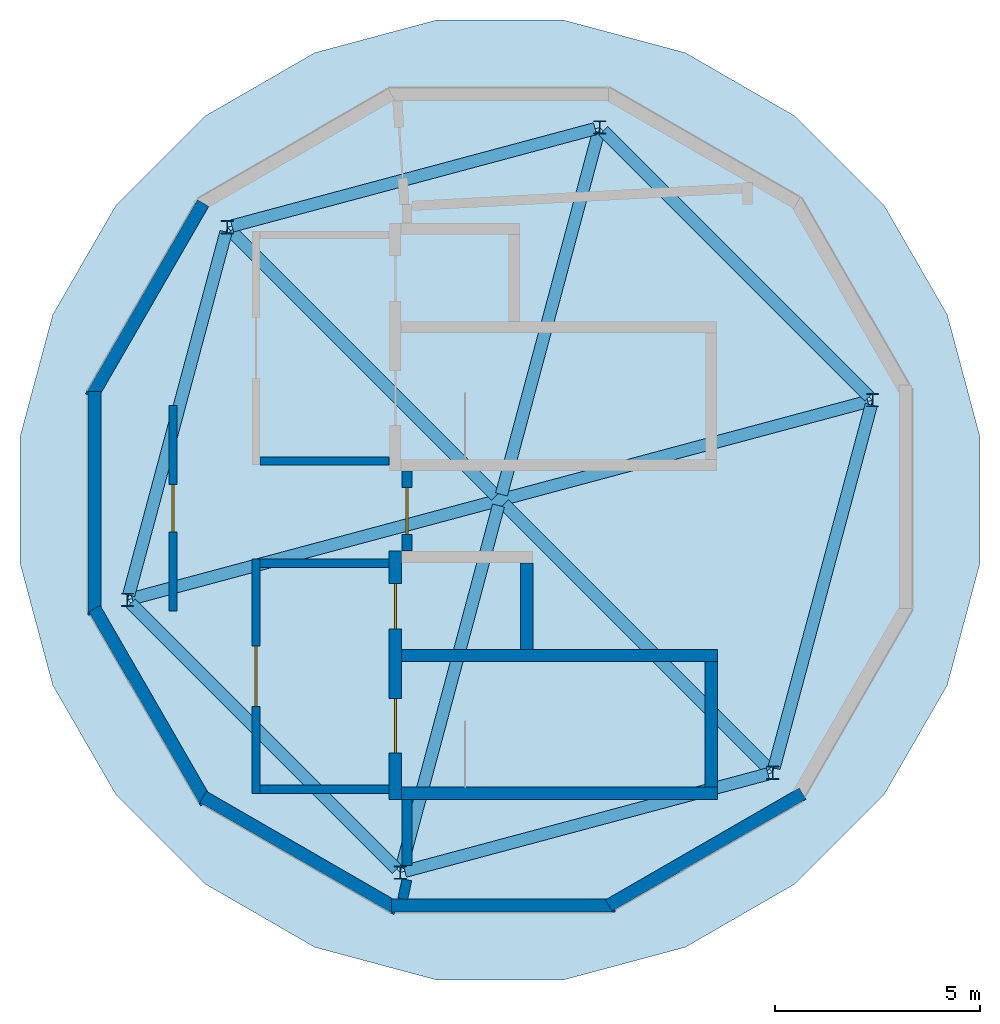
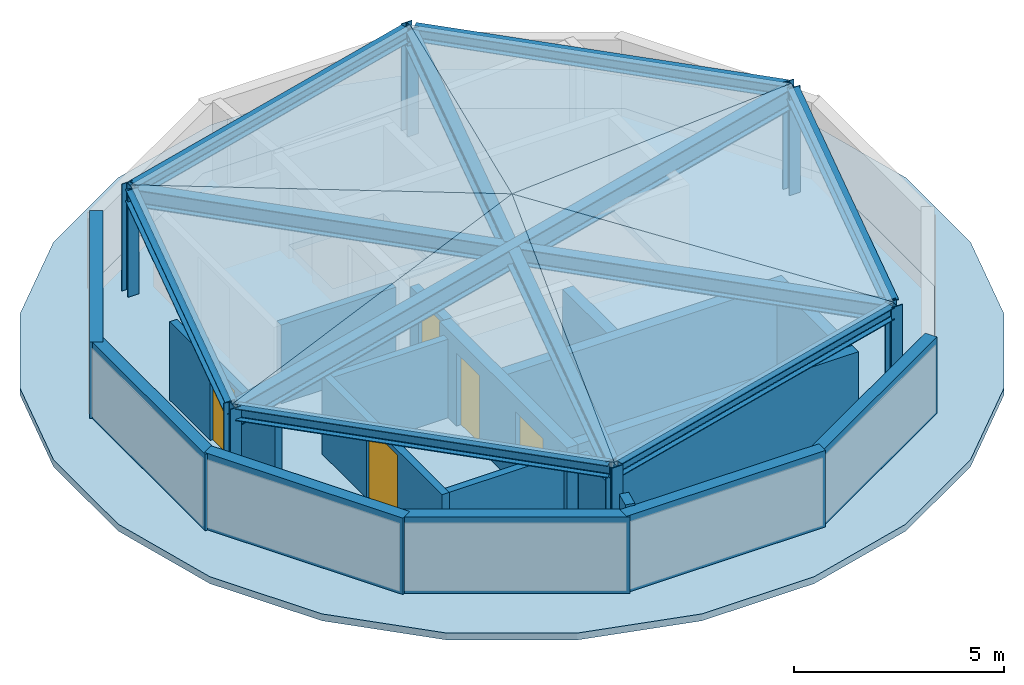
# One storey, part 1 of 3: 19 walls, 11 beams, 8 slabs, 6 columns, 5 doors, 5 openings.
"""IFC4 building model written with IfcOpenShell, lengths in metres."""

from ifc_helpers import new_model, si_unit, direction, frame, frame_2d, origin, origin_2d, place, context, subcontext, project, spatial, polyline, rectangle, i_section, outline, extrude, material, layer, layer_set, material_profile, profile_set, type_object, element, fill, save


model = new_model("IFC4")

# Units and contexts
model_context = context("Model", 3, precision=1e-05, world=origin(), true_north=direction((0.0, 1.0)))
body_context = subcontext(model_context, "Body", "Model", "MODEL_VIEW")
ifc_project = project(units=[si_unit("LENGTHUNIT", "METRE"), si_unit("AREAUNIT", "SQUARE_METRE"), si_unit("VOLUMEUNIT", "CUBIC_METRE"), si_unit("PLANEANGLEUNIT", "RADIAN"), si_unit("MASSUNIT", "GRAM", prefix="KILO")], contexts=[model_context])

# Site, building, storey
site_placement = place(None, origin())
site = spatial("IfcSite", under=ifc_project, at=site_placement, CompositionType="ELEMENT")
building_placement = place(site_placement, origin())
building = spatial("IfcBuilding", under=site, at=building_placement, Name="Varnklinge Art Gallery", CompositionType="ELEMENT")
storey_placement = place(building_placement, frame((0.0, 0.0, 25.800048828125)))
storey = spatial("IfcBuildingStorey", under=building, at=storey_placement, Name="Roof", CompositionType="ELEMENT", Elevation=25.800048828125)

# Columns
ifc_material_1 = material(Name="Steel S355", Category="steel")
ifc_material_profile_1 = material_profile(ifc_material_1, i_section(OverallWidth=0.300048828125, OverallDepth=0.320068359375, WebThickness=0.011474609375, FlangeThickness=0.0205078125, FilletRadius=0.027099609375, at=origin_2d()), Name="HEB 320")
ifc_profile_set_1 = profile_set([ifc_material_profile_1], Name="Steel S355")
column_type = type_object("IfcColumnType", Name="COL-09", PredefinedType="COLUMN", material=ifc_profile_set_1)
for number, where, z_axis, x_axis, name in (
    (1, (84.57958984375, 40.932861328125, 0.0), (0.0, 0.0, 1.0), (1.0, 0.0, 0.0), "Roof Column V4CI-1"),
    (2, (77.932861328125, 47.57958984375, 0.0), (0.0, 0.0, 1.0), (1.0, 0.0, 0.0), "Roof Column V4CI-2"),
    (3, (68.853271484375, 45.146728515625, 0.0), (0.0, 0.0, 1.0), (1.0, 0.0, 0.0), "Roof Column V4CI-3"),
    (4, (66.42041015625, 36.067138671875, 0.0), (0.0, 0.0, 1.0), (1.0, 0.0, 0.0), "Roof Column V4CI-4"),
    (5, (73.067138671875, 29.42041015625, 0.0), (0.0, 0.0, 1.0), (1.0, 0.0, 0.0), "Roof Column V4CI-5"),
    (6, (82.146728515625, 31.853271484375, 0.0), (0.0, 0.0, 1.0), (1.0, 0.0, 0.0), "Roof Column V4CI-6"),
):
    element("IfcColumn", number, at=place(storey_placement, frame(where, z_axis=z_axis, x_axis=x_axis)), inside=storey, type_object=column_type, Name=name, PredefinedType="COLUMN", context=body_context, shape_type="SweptSolid", body=[
        extrude(i_section(OverallWidth=0.300048828125, OverallDepth=0.320068359375, WebThickness=0.011474609375, FlangeThickness=0.0205078125, FilletRadius=0.027099609375, at=origin_2d()), origin(), (0.0, 0.0, 1.0), 3.099853515625),
    ])

# Beams
ifc_material_2 = material(Name="Steel S355", Category="steel")
ifc_material_profile_2 = material_profile(ifc_material_2, i_section(OverallWidth=0.300048828125, OverallDepth=0.60009765625, WebThickness=0.015380859375, FlangeThickness=0.030029296875, FilletRadius=0.027099609375, at=origin_2d()), Name="HEB 600")
ifc_profile_set_2 = profile_set([ifc_material_profile_2], Name="Steel S355")
beam_type_1 = type_object("IfcBeamType", Name="BM-05", PredefinedType="BEAM", material=ifc_profile_set_2)
beam_1_placement = place(storey_placement, frame((84.4638671875, 40.90185546875, 2.800048828125), z_axis=(-0.965925974596, -0.258818491613, 0.0), x_axis=(0.258818491613, -0.965925974596, 0.0)))
element("IfcBeam", 7, at=beam_1_placement, inside=storey, type_object=beam_type_1, Name="Roof BM-05 BM-V4D-CRN-D1", PredefinedType="BEAM", context=body_context, shape_type="SweptSolid", body=[
    extrude(i_section(OverallWidth=0.300048828125, OverallDepth=0.60009765625, WebThickness=0.015380859375, FlangeThickness=0.030029296875, FilletRadius=0.027099609375, at=origin_2d()), origin(), (0.0, 0.0, 1.0), 18.56005859375),
])
ifc_material_3 = material(Name="Steel S355", Category="steel")
ifc_material_profile_3 = material_profile(ifc_material_3, i_section(OverallWidth=0.300048828125, OverallDepth=0.489990234375, WebThickness=0.011962890625, FlangeThickness=0.02294921875, FilletRadius=0.027099609375, at=origin_2d()), Name="HEA 500")
ifc_profile_set_3 = profile_set([ifc_material_profile_3], Name="Steel S355")
beam_type_2 = type_object("IfcBeamType", Name="BM-07", PredefinedType="BEAM", material=ifc_profile_set_3)
beam_2_placement = place(storey_placement, frame((77.90185546875, 47.4638671875, 2.85498046875), z_axis=(-0.258829544681, -0.965923012874, 0.0), x_axis=(0.965923012874, -0.258829544681, 0.0)))
element("IfcBeam", 8, at=beam_2_placement, inside=storey, type_object=beam_type_2, Name="Roof BM-07 BM-V4D-CRN-R2", PredefinedType="BEAM", context=body_context, shape_type="SweptSolid", body=[
    extrude(i_section(OverallWidth=0.300048828125, OverallDepth=0.489990234375, WebThickness=0.011962890625, FlangeThickness=0.02294921875, FilletRadius=0.027099609375, at=origin_2d()), origin(), (0.0, 0.0, 1.0), 9.14013671875),
])
beam_3_placement = place(storey_placement, frame((68.93798828125, 45.06201171875, 2.85498046875), z_axis=(0.707106781187, -0.707106781187, 0.0), x_axis=(0.707106781187, 0.707106781187, 0.0)))
element("IfcBeam", 9, at=beam_3_placement, inside=storey, type_object=beam_type_2, Name="Roof BM-07 BM-V4D-CRN-R3", PredefinedType="BEAM", context=body_context, shape_type="SweptSolid", body=[
    extrude(i_section(OverallWidth=0.300048828125, OverallDepth=0.489990234375, WebThickness=0.011962890625, FlangeThickness=0.02294921875, FilletRadius=0.027099609375, at=origin_2d()), origin(), (0.0, 0.0, 1.0), 9.139892578125),
])
beam_4_placement = place(storey_placement, frame((73.09814453125, 29.5361328125, 2.85498046875), z_axis=(0.258829544681, 0.965923012874, 0.0), x_axis=(-0.965923012874, 0.258829544681, 0.0)))
element("IfcBeam", 10, at=beam_4_placement, inside=storey, type_object=beam_type_2, Name="Roof BM-07 BM-V4D-CRN-R5", PredefinedType="BEAM", context=body_context, shape_type="SweptSolid", body=[
    extrude(i_section(OverallWidth=0.300048828125, OverallDepth=0.489990234375, WebThickness=0.011962890625, FlangeThickness=0.02294921875, FilletRadius=0.027099609375, at=origin_2d()), origin(), (0.0, 0.0, 1.0), 9.14013671875),
])
beam_5_placement = place(storey_placement, frame((82.06201171875, 31.93798828125, 2.85498046875), z_axis=(-0.707106781187, 0.707106781187, 0.0), x_axis=(-0.707106781187, -0.707106781187, 0.0)))
element("IfcBeam", 11, at=beam_5_placement, inside=storey, type_object=beam_type_2, Name="Roof BM-07 BM-V4D-CRN-R6", PredefinedType="BEAM", context=body_context, shape_type="SweptSolid", body=[
    extrude(i_section(OverallWidth=0.300048828125, OverallDepth=0.489990234375, WebThickness=0.011962890625, FlangeThickness=0.02294921875, FilletRadius=0.027099609375, at=origin_2d()), origin(), (0.0, 0.0, 1.0), 9.139892578125),
])
ifc_material_4 = material(Name="Steel S355", Category="steel")
ifc_material_profile_4 = material_profile(ifc_material_4, i_section(OverallWidth=0.300048828125, OverallDepth=0.35009765625, WebThickness=0.010009765625, FlangeThickness=0.017578125, FilletRadius=0.027099609375, at=origin_2d()), Name="HEA 360")
ifc_profile_set_4 = profile_set([ifc_material_profile_4], Name="Steel S355")
beam_type_3 = type_object("IfcBeamType", Name="SPB-04", PredefinedType="SPANDREL", material=ifc_profile_set_4)
for number, where, z_axis, x_axis, name in (
    (12, (84.494873046875, 41.017822265625, 2.925048828125), (-0.707106781187, 0.707106781187, 0.0), (-0.707106781187, -0.707106781187, 0.0), "Roof SPB-04 BM-V4D-CRN-E1"),
    (13, (77.81689453125, 47.548583984375, 2.925048828125), (-0.965930801442, -0.258800476863, 0.0), (0.258800476863, -0.965930801442, 0.0), "Roof SPB-04 BM-V4D-CRN-E2"),
    (14, (68.822021484375, 45.031005859375, 2.925048828125), (-0.258800476863, -0.965930801442, 0.0), (0.965930801442, -0.258800476863, 0.0), "Roof SPB-04 BM-V4D-CRN-E3"),
    (15, (66.505126953125, 35.982177734375, 2.925048828125), (0.707106781187, -0.707106781187, 0.0), (0.707106781187, 0.707106781187, 0.0), "Roof SPB-04 BM-V4D-CRN-E4"),
    (16, (73.18310546875, 29.451416015625, 2.925048828125), (0.965930801442, 0.258800476863, 0.0), (-0.258800476863, 0.965930801442, 0.0), "Roof SPB-04 BM-V4D-CRN-E5"),
    (17, (82.177978515625, 31.968994140625, 2.925048828125), (0.258800476863, 0.965930801442, 0.0), (-0.965930801442, 0.258800476863, 0.0), "Roof SPB-04 BM-V4D-CRN-E6"),
):
    element("IfcBeam", number, at=place(storey_placement, frame(where, z_axis=z_axis, x_axis=x_axis)), inside=storey, type_object=beam_type_3, Name=name, PredefinedType="SPANDREL", context=body_context, shape_type="SweptSolid", body=[
        extrude(i_section(OverallWidth=0.300048828125, OverallDepth=0.35009765625, WebThickness=0.010009765625, FlangeThickness=0.017578125, FilletRadius=0.027099609375, at=origin_2d()), origin(), (0.0, 0.0, 1.0), 9.159912109375),
    ])

# Slabs
ifc_material_5 = material(Name="Concrete C35/45", Category="concrete")
ifc_layer_1 = layer(ifc_material_5, 0.199951171875)
ifc_layer_set_1 = layer_set([ifc_layer_1], Name="Concrete C35/45")
slab_type_1 = type_object("IfcSlabType", Name="SLB-F20", PredefinedType="FLOOR", material=ifc_layer_set_1)
slab_1_placement = place(storey_placement, frame((0.0, 0.0, -0.199951171875)))
element("IfcSlab", 18, at=slab_1_placement, inside=storey, type_object=slab_type_1, Name="Roof Pavilion Drum Floor Slab", PredefinedType="FLOOR", context=body_context, shape_type="SweptSolid", body=[
    extrude(outline(polyline([(78.191650390625, 28.454345703125), (82.85400390625, 31.14599609375), (85.545654296875, 35.808349609375), (85.545654296875, 41.191650390625), (82.85400390625, 45.85400390625), (78.191650390625, 48.545654296875), (72.808349609375, 48.545654296875), (68.14599609375, 45.85400390625), (65.454345703125, 41.191650390625), (65.454345703125, 35.808349609375), (68.14599609375, 31.14599609375), (72.808349609375, 28.454345703125), (78.191650390625, 28.454345703125)]), holes=[polyline([(74.72509765625, 31.5), (74.72509765625, 34.56005859375), (80.5, 34.56005859375), (80.5, 31.5), (74.72509765625, 31.5)]), polyline([(73.10009765625, 36.9599609375), (76.0, 36.9599609375), (76.0, 34.860107421875), (73.10009765625, 34.860107421875), (73.10009765625, 36.9599609375)]), polyline([(80.5, 42.56005859375), (80.5, 39.5), (74.72509765625, 39.5), (74.72509765625, 42.56005859375), (80.5, 42.56005859375)]), polyline([(75.699951171875, 42.860107421875), (73.10009765625, 42.860107421875), (73.10009765625, 44.9599609375), (75.699951171875, 44.9599609375), (75.699951171875, 42.860107421875)])]), origin(), (0.0, 0.0, 1.0), 0.199951171875),
])
ifc_material_6 = material(Name="Concrete C40/50", Category="concrete")
ifc_layer_2 = layer(ifc_material_6, 0.179931640625)
ifc_layer_set_2 = layer_set([ifc_layer_2], Name="Concrete C40/50")
slab_type_2 = type_object("IfcSlabType", Name="SLB-FOLD18", PredefinedType="ROOF", material=ifc_layer_set_2)
slab_2_placement = place(storey_placement, frame((84.57958984375, 40.932861328125, 3.119873046875), z_axis=(0.123185144164, 0.123185144164, 0.984708505353), x_axis=(-0.707106781187, 0.707106781187, 0.0)))
element("IfcSlab", 19, at=slab_2_placement, inside=storey, type_object=slab_type_2, Name="Roof Pavilion Drum Zinc Crown Facet 1", PredefinedType="ROOF", context=body_context, shape_type="SweptSolid", body=[
    extrude(outline(polyline([(0.0, 0.0), (9.399893612208865, 0.0), (4.699946806104434, 8.266946256135373), (0.0, 0.0)])), origin(), (0.0, 0.0, -1.0), 0.179931640625),
])
slab_3_placement = place(storey_placement, frame((77.932861328125, 47.57958984375, 3.119873046875), z_axis=(-0.045088705635, 0.168273854749, 0.984708544917), x_axis=(-0.965926024113, -0.258818306811, 0.0)))
element("IfcSlab", 20, at=slab_3_placement, inside=storey, type_object=slab_type_2, Name="Roof Pavilion Drum Zinc Crown Facet 2", PredefinedType="ROOF", context=body_context, shape_type="SweptSolid", body=[
    extrude(outline(polyline([(0.0, 0.0), (9.39988116800496, 0.0), (4.699928139790337, 8.266956868331226), (0.0, 0.0)])), origin(), (0.0, 0.0, -1.0), 0.179931640625),
])
slab_4_placement = place(storey_placement, frame((68.853271484375, 45.146728515625, 3.119873046875), z_axis=(-0.168273854749, 0.045088705635, 0.984708544917), x_axis=(-0.258818306811, -0.965926024113, 0.0)))
element("IfcSlab", 21, at=slab_4_placement, inside=storey, type_object=slab_type_2, Name="Roof Pavilion Drum Zinc Crown Facet 3", PredefinedType="ROOF", context=body_context, shape_type="SweptSolid", body=[
    extrude(outline(polyline([(0.0, 0.0), (9.39988116800496, 0.0), (4.6999530282146225, 8.266956868331228), (0.0, 0.0)])), origin(), (0.0, 0.0, -1.0), 0.179931640625),
])
slab_5_placement = place(storey_placement, frame((66.42041015625, 36.067138671875, 3.119873046875), z_axis=(-0.123185144164, -0.123185144164, 0.984708505353), x_axis=(0.707106781187, -0.707106781187, 0.0)))
element("IfcSlab", 22, at=slab_5_placement, inside=storey, type_object=slab_type_2, Name="Roof Pavilion Drum Zinc Crown Facet 4", PredefinedType="ROOF", context=body_context, shape_type="SweptSolid", body=[
    extrude(outline(polyline([(0.0, 0.0), (9.399893612208865, 0.0), (4.699946806104434, 8.266946256135373), (0.0, 0.0)])), origin(), (0.0, 0.0, -1.0), 0.179931640625),
])
slab_6_placement = place(storey_placement, frame((73.067138671875, 29.42041015625, 3.119873046875), z_axis=(0.045088705635, -0.168273854749, 0.984708544917), x_axis=(0.965926024113, 0.258818306811, 0.0)))
element("IfcSlab", 23, at=slab_6_placement, inside=storey, type_object=slab_type_2, Name="Roof Pavilion Drum Zinc Crown Facet 5", PredefinedType="ROOF", context=body_context, shape_type="SweptSolid", body=[
    extrude(outline(polyline([(0.0, 0.0), (9.39988116800496, 0.0), (4.699928139790337, 8.266956868331226), (0.0, 0.0)])), origin(), (0.0, 0.0, -1.0), 0.179931640625),
])
slab_7_placement = place(storey_placement, frame((82.146728515625, 31.853271484375, 3.119873046875), z_axis=(0.168273854749, -0.045088705635, 0.984708544917), x_axis=(0.258818306811, 0.965926024113, 0.0)))
element("IfcSlab", 24, at=slab_7_placement, inside=storey, type_object=slab_type_2, Name="Roof Pavilion Drum Zinc Crown Facet 6", PredefinedType="ROOF", context=body_context, shape_type="SweptSolid", body=[
    extrude(outline(polyline([(0.0, 0.0), (9.39988116800496, 0.0), (4.6999530282146225, 8.266956868331228), (0.0, 0.0)])), origin(), (0.0, 0.0, -1.0), 0.179931640625),
])
ifc_material_7 = material(Name="Concrete C35/45", Category="concrete")
ifc_layer_3 = layer(ifc_material_7, 0.199951171875)
ifc_layer_set_3 = layer_set([ifc_layer_3], Name="Concrete C35/45")
slab_type_3 = type_object("IfcSlabType", Name="SLB-ROOF20", PredefinedType="ROOF", material=ifc_layer_set_3)
slab_8_placement = place(storey_placement, frame((0.0, 0.0, -0.199951171875)))
element("IfcSlab", 25, at=slab_8_placement, inside=storey, type_object=slab_type_3, Name="Roof Drum Perimeter Cap Slab", PredefinedType="ROOF", context=body_context, shape_type="SweptSolid", body=[
    extrude(outline(polyline([(87.198974609375, 36.959716796875), (87.198974609375, 40.040283203125), (86.40185546875, 43.015625), (84.861572265625, 45.683349609375), (82.683349609375, 47.861572265625), (80.015625, 49.40185546875), (77.040283203125, 50.198974609375), (73.959716796875, 50.198974609375), (70.984375, 49.40185546875), (68.316650390625, 47.861572265625), (66.138427734375, 45.683349609375), (64.59814453125, 43.015625), (63.801025390625, 40.040283203125), (63.801025390625, 36.959716796875), (64.59814453125, 33.984375), (66.138427734375, 31.316650390625), (68.316650390625, 29.138427734375), (70.984375, 27.59814453125), (73.959716796875, 26.801025390625), (77.040283203125, 26.801025390625), (80.015625, 27.59814453125), (82.683349609375, 29.138427734375), (84.861572265625, 31.316650390625), (86.40185546875, 33.984375), (87.198974609375, 36.959716796875)]), holes=[polyline([(78.191650390625, 28.454345703125), (72.808349609375, 28.454345703125), (68.14599609375, 31.14599609375), (65.454345703125, 35.808349609375), (65.454345703125, 41.191650390625), (68.14599609375, 45.85400390625), (72.808349609375, 48.545654296875), (78.191650390625, 48.545654296875), (82.85400390625, 45.85400390625), (85.545654296875, 41.191650390625), (85.545654296875, 35.808349609375), (82.85400390625, 31.14599609375), (78.191650390625, 28.454345703125)])]), origin(), (0.0, 0.0, 1.0), 0.199951171875),
])

# Walls
ifc_material_8 = material(Name="Precast concrete C40/50", Category="concrete")
ifc_layer_4 = layer(ifc_material_8, 0.320068359375)
ifc_layer_set_4 = layer_set([ifc_layer_4], Name="Precast concrete C40/50")
wall_type_1 = type_object("IfcWallType", Name="EW-32", PredefinedType="SOLIDWALL", material=ifc_layer_set_4)
wall_1_placement = place(storey_placement, frame((82.87548828125, 31.34326171875, 0.0), z_axis=(0.0, 0.0, 1.0), x_axis=(-0.866046294017, -0.49996381531, 0.0)))
element("IfcWall", 26, at=wall_1_placement, inside=storey, type_object=wall_type_1, Name="Roof Exterior Wall EW-V4D-Roof-03", PredefinedType="SOLIDWALL", context=body_context, shape_type="SweptSolid", body=[
    extrude(rectangle(XDim=5.4580078125, YDim=0.320068359375, at=frame_2d((2.72900390625, 0.0))), origin(), (0.0, 0.0, 1.0), 2.219970703125),
])
wall_2_placement = place(storey_placement, frame((78.308837890625, 28.614501953125, 0.0), z_axis=(0.0, 0.0, 1.0), x_axis=(-1.0, 0.0, 0.0)))
element("IfcWall", 27, at=wall_2_placement, inside=storey, type_object=wall_type_1, Name="Roof Exterior Wall EW-V4D-Roof-04", PredefinedType="SOLIDWALL", context=body_context, shape_type="SweptSolid", body=[
    extrude(rectangle(XDim=5.45751953125, YDim=0.320068359375, at=frame_2d((2.728759765625, 0.0))), origin(), (0.0, 0.0, 1.0), 2.219970703125),
])
wall_3_placement = place(storey_placement, frame((72.98974609375, 28.534423828125, 0.0), z_axis=(0.0, 0.0, 1.0), x_axis=(-0.866035112114, 0.499983184303, 0.0)))
element("IfcWall", 28, at=wall_3_placement, inside=storey, type_object=wall_type_1, Name="Roof Exterior Wall EW-V4D-Roof-05", PredefinedType="SOLIDWALL", context=body_context, shape_type="SweptSolid", body=[
    extrude(rectangle(XDim=5.457763671875, YDim=0.320068359375, at=frame_2d((2.72900390625, 0.0))), origin(), (0.0, 0.0, 1.0), 2.219970703125),
])
wall_4_placement = place(storey_placement, frame((68.34326171875, 31.12451171875, 0.0), z_axis=(0.0, 0.0, 1.0), x_axis=(-0.49996381531, 0.866046294017, 0.0)))
element("IfcWall", 29, at=wall_4_placement, inside=storey, type_object=wall_type_1, Name="Roof Exterior Wall EW-V4D-Roof-06", PredefinedType="SOLIDWALL", context=body_context, shape_type="SweptSolid", body=[
    extrude(rectangle(XDim=5.4580078125, YDim=0.320068359375, at=frame_2d((2.72900390625, 0.0))), origin(), (0.0, 0.0, 1.0), 2.219970703125),
])
wall_5_placement = place(storey_placement, frame((65.614501953125, 35.691162109375, 0.0), z_axis=(0.0, 0.0, 1.0), x_axis=(0.0, 1.0, 0.0)))
element("IfcWall", 30, at=wall_5_placement, inside=storey, type_object=wall_type_1, Name="Roof Exterior Wall EW-V4D-Roof-07", PredefinedType="SOLIDWALL", context=body_context, shape_type="SweptSolid", body=[
    extrude(rectangle(XDim=5.45751953125, YDim=0.320068359375, at=frame_2d((2.728759765625, 0.0))), origin(), (0.0, 0.0, 1.0), 2.219970703125),
])
wall_6_placement = place(storey_placement, frame((65.534423828125, 41.01025390625, 0.0), z_axis=(0.0, 0.0, 1.0), x_axis=(0.499983184303, 0.866035112114, 0.0)))
element("IfcWall", 31, at=wall_6_placement, inside=storey, type_object=wall_type_1, Name="Roof Exterior Wall EW-V4D-Roof-08", PredefinedType="SOLIDWALL", context=body_context, shape_type="SweptSolid", body=[
    extrude(rectangle(XDim=5.457763671875, YDim=0.320068359375, at=frame_2d((2.72900390625, 0.0))), origin(), (0.0, 0.0, 1.0), 2.219970703125),
])
ifc_material_9 = material(Name="Concrete C40/50", Category="concrete")
ifc_layer_5 = layer(ifc_material_9, 0.199951171875)
ifc_layer_set_5 = layer_set([ifc_layer_5], Name="Concrete C40/50")
wall_type_2 = type_object("IfcWallType", Name="IW-20", PredefinedType="PARTITIONING", material=ifc_layer_set_5)
for number, where, z_axis, x_axis, name in (
    (32, (69.64990234375, 31.449951171875, 0.0), (0.0, 0.0, 1.0), (1.0, 0.0, 0.0), "Roof Core C1 Lobby South Wall"),
    (33, (72.800048828125, 36.9599609375, 0.0), (0.0, 0.0, 1.0), (-1.0, 0.0, 0.0), "Roof Core C1 Lobby North Wall"),
):
    element("IfcWall", number, at=place(storey_placement, frame(where, z_axis=z_axis, x_axis=x_axis)), inside=storey, type_object=wall_type_2, Name=name, PredefinedType="PARTITIONING", context=body_context, shape_type="SweptSolid", body=[
        extrude(rectangle(XDim=3.150146484375, YDim=0.199951171875, at=frame_2d((1.5751953125, 0.0))), origin(), (0.0, 0.0, 1.0), 2.280029296875),
    ])

# Wall, opening, door
wall_7_placement = place(storey_placement, frame((69.550048828125, 31.35009765625, 0.0), z_axis=(0.0, 0.0, 1.0), x_axis=(0.0, 1.0, 0.0)))
wall_7 = element("IfcWall", 34, at=wall_7_placement, inside=storey, type_object=wall_type_2, Name="Roof Core C1 Lobby Corridor Wall", PredefinedType="PARTITIONING", context=body_context, shape_type="SweptSolid", body=[
    extrude(rectangle(XDim=5.7099609375, YDim=0.199951171875, at=frame_2d((2.85498046875, 0.0))), origin(), (0.0, 0.0, 1.0), 2.280029296875),
])
opening_1_placement = place(wall_7_placement, frame((2.114990234375, 0.0, 0.0)))
opening_1 = element("IfcOpeningElement", 35, at=opening_1_placement, cuts=wall_7, Name="Opening D-Roof-024", PredefinedType="OPENING", context=body_context, shape_type="SweptSolid", body=[
    extrude(rectangle(XDim=1.47998046875, YDim=2.14990234375, at=frame_2d((0.739990234375, 1.074951171875))), frame((0.0, 0.110107421875, 0.0), z_axis=(0.0, -1.0, 0.0), x_axis=(1.0, 0.0, 0.0)), (0.0, 0.0, 1.0), 0.219970703125),
])
ifc_material_10 = material(Name="Galvanised Fire-Rated Steel", Category="steel")
door_type_1 = type_object("IfcDoorType", Name="ID-LB1", OperationType="DOUBLE_DOOR_SINGLE_SWING", PredefinedType="DOOR", material=ifc_material_10)
door_1_placement = place(opening_1_placement, origin())
door_1 = element("IfcDoor", 36, at=door_1_placement, inside=storey, type_object=door_type_1, Name="Roof Core C1 Protected Lobby Door D-Roof-024", OperationType="DOUBLE_DOOR_SINGLE_SWING", OverallHeight=2.14990234375, OverallWidth=1.47998046875, PredefinedType="DOOR", context=body_context, shape_type="SweptSolid", body=[
    extrude(rectangle(XDim=1.47998046875, YDim=2.14990234375, at=frame_2d((0.739990234375, 1.074951171875))), frame((0.0, 0.02490234375, 0.0), z_axis=(0.0, -1.0, 0.0), x_axis=(1.0, 0.0, 0.0)), (0.0, 0.0, 1.0), 0.050048828125),
])
fill(opening_1, door_1)

# Wall
wall_8_placement = place(storey_placement, frame((69.64990234375, 39.449951171875, 0.0), z_axis=(0.0, 0.0, 1.0), x_axis=(1.0, 0.0, 0.0)))
element("IfcWall", 37, at=wall_8_placement, inside=storey, type_object=wall_type_2, Name="Roof Core C2 Lobby South Wall", PredefinedType="PARTITIONING", context=body_context, shape_type="SweptSolid", body=[
    extrude(rectangle(XDim=3.150146484375, YDim=0.199951171875, at=frame_2d((1.5751953125, 0.0))), origin(), (0.0, 0.0, 1.0), 2.280029296875),
])

# Wall, opening, door
wall_9_placement = place(storey_placement, frame((67.530029296875, 40.800048828125, 0.0), z_axis=(0.0, 0.0, 1.0), x_axis=(0.0, -1.0, 0.0)))
wall_9 = element("IfcWall", 38, at=wall_9_placement, inside=storey, type_object=wall_type_2, Name="Roof Partition Wall IW-Roof-0393", PredefinedType="PARTITIONING", context=body_context, shape_type="SweptSolid", body=[
    extrude(rectangle(XDim=5.0, YDim=0.199951171875, at=frame_2d((2.5, 0.0))), origin(), (0.0, 0.0, 1.0), 2.280029296875),
])
opening_2_placement = place(wall_9_placement, frame((1.925048828125, 0.0, 0.0)))
opening_2 = element("IfcOpeningElement", 39, at=opening_2_placement, cuts=wall_9, Name="Opening D-Roof-276", PredefinedType="OPENING", context=body_context, shape_type="SweptSolid", body=[
    extrude(rectangle(XDim=1.14990234375, YDim=2.14990234375, at=frame_2d((0.574951171875, 1.074951171875))), frame((0.0, 0.110107421875, 0.0), z_axis=(0.0, -1.0, 0.0), x_axis=(1.0, 0.0, 0.0)), (0.0, 0.0, 1.0), 0.219970703125),
])
ifc_material_11 = material(Name="Galvanised Fire-Rated Steel", Category="steel")
door_type_2 = type_object("IfcDoorType", Name="ID-05", OperationType="SINGLE_SWING_LEFT", PredefinedType="DOOR", material=ifc_material_11)
door_2_placement = place(opening_2_placement, origin())
door_2 = element("IfcDoor", 40, at=door_2_placement, inside=storey, type_object=door_type_2, Name="Roof Roof Mechanical Service Closet Door D-Roof-276", OperationType="SINGLE_SWING_RIGHT", OverallHeight=2.14990234375, OverallWidth=1.14990234375, PredefinedType="DOOR", context=body_context, shape_type="SweptSolid", body=[
    extrude(rectangle(XDim=1.14990234375, YDim=2.14990234375, at=frame_2d((0.574951171875, 1.074951171875))), frame((0.0, 0.02490234375, 0.0), z_axis=(0.0, -1.0, 0.0), x_axis=(1.0, 0.0, 0.0)), (0.0, 0.0, 1.0), 0.050048828125),
])
fill(opening_2, door_2)

ifc_material_12 = material(Name="Concrete C40/50", Category="concrete")
ifc_layer_6 = layer(ifc_material_12, 0.239990234375)
ifc_layer_set_6 = layer_set([ifc_layer_6], Name="Concrete C40/50")
wall_type_3 = type_object("IfcWallType", Name="IW-24", PredefinedType="PARTITIONING", material=ifc_layer_set_6)
wall_10_placement = place(storey_placement, frame((73.22998046875, 39.2060546875, 0.0), z_axis=(0.0, 0.0, 1.0), x_axis=(0.0, -1.0, 0.0)))
wall_10 = element("IfcWall", 41, at=wall_10_placement, inside=storey, type_object=wall_type_3, Name="Roof Partition Wall IW-Roof-0395", PredefinedType="PARTITIONING", context=body_context, shape_type="SweptSolid", body=[
    extrude(rectangle(XDim=1.942138671875, YDim=0.239990234375, at=frame_2d((0.97119140625, 0.0))), origin(), (0.0, 0.0, 1.0), 2.280029296875),
])
opening_3_placement = place(wall_10_placement, frame((0.39599609375, 0.0, 0.0)))
opening_3 = element("IfcOpeningElement", 42, at=opening_3_placement, cuts=wall_10, Name="Opening D-Roof-278", PredefinedType="OPENING", context=body_context, shape_type="SweptSolid", body=[
    extrude(rectangle(XDim=1.14990234375, YDim=2.14990234375, at=frame_2d((0.574951171875, 1.074951171875))), frame((0.0, 0.130126953125, 0.0), z_axis=(0.0, -1.0, 0.0), x_axis=(1.0, 0.0, 0.0)), (0.0, 0.0, 1.0), 0.260009765625),
])
door_3_placement = place(opening_3_placement, origin())
door_3 = element("IfcDoor", 43, at=door_3_placement, inside=storey, type_object=door_type_2, Name="Roof Roof Humidification and AHU Plant Room Door D-Roof-278", OperationType="SINGLE_SWING_RIGHT", OverallHeight=2.14990234375, OverallWidth=1.14990234375, PredefinedType="DOOR", context=body_context, shape_type="SweptSolid", body=[
    extrude(rectangle(XDim=1.14990234375, YDim=2.14990234375, at=frame_2d((0.574951171875, 1.074951171875))), frame((0.0, 0.02490234375, 0.0), z_axis=(0.0, -1.0, 0.0), x_axis=(1.0, 0.0, 0.0)), (0.0, 0.0, 1.0), 0.050048828125),
])
fill(opening_3, door_3)

# Walls
wall_11_placement = place(storey_placement, frame((73.22998046875, 31.196044921875, 0.0), z_axis=(0.0, 0.0, 1.0), x_axis=(0.0, -1.0, 0.0)))
element("IfcWall", 44, at=wall_11_placement, inside=storey, type_object=wall_type_3, Name="Roof Partition Wall IW-Roof-0396", PredefinedType="PARTITIONING", context=body_context, shape_type="SweptSolid", body=[
    extrude(rectangle(XDim=1.599853515625, YDim=0.239990234375, at=frame_2d((0.7998046875, 0.0))), origin(), (0.0, 0.0, 1.0), 2.280029296875),
])
wall_12_placement = place(storey_placement, frame((73.22998046875, 29.244384765625, 0.0), z_axis=(0.0, 0.0, 1.0), x_axis=(-0.209983760239, -0.977704873894, 0.0)))
element("IfcWall", 45, at=wall_12_placement, inside=storey, type_object=wall_type_3, Name="Roof Partition Wall IW-Roof-0397", PredefinedType="PARTITIONING", context=body_context, shape_type="SweptSolid", body=[
    extrude(rectangle(XDim=0.476806640625, YDim=0.239990234375, at=frame_2d((0.23828125, 0.0))), origin(), (0.0, 0.0, 1.0), 2.280029296875),
])
ifc_material_13 = material(Name="Concrete C40/50", Category="concrete")
ifc_layer_7 = layer(ifc_material_13, 0.300048828125)
ifc_layer_set_7 = layer_set([ifc_layer_7], Name="Concrete C40/50")
wall_type_4 = type_object("IfcWallType", Name="SW-30", PredefinedType="SHEAR", material=ifc_layer_set_7)
wall_13_placement = place(storey_placement, frame((73.10009765625, 31.35009765625, 0.0), z_axis=(0.0, 0.0, 1.0), x_axis=(1.0, 0.0, 0.0)))
element("IfcWall", 46, at=wall_13_placement, inside=storey, type_object=wall_type_4, Name="Roof Core C1 South Shear Wall", PredefinedType="SHEAR", context=body_context, shape_type="SweptSolid", body=[
    extrude(rectangle(XDim=7.699951171875, YDim=0.300048828125, at=frame_2d((3.85009765625, 0.0))), origin(), (0.0, 0.0, 1.0), 2.550048828125),
])
wall_14_placement = place(storey_placement, frame((80.64990234375, 31.5, 0.0), z_axis=(0.0, 0.0, 1.0), x_axis=(0.0, 1.0, 0.0)))
element("IfcWall", 47, at=wall_14_placement, inside=storey, type_object=wall_type_4, Name="Roof Core C1 East Shear Wall", PredefinedType="SHEAR", context=body_context, shape_type="SweptSolid", body=[
    extrude(rectangle(XDim=3.06005859375, YDim=0.300048828125, at=frame_2d((1.530029296875, 0.0))), origin(), (0.0, 0.0, 1.0), 2.550048828125),
])
wall_15_placement = place(storey_placement, frame((80.800048828125, 34.7099609375, 0.0), z_axis=(0.0, 0.0, 1.0), x_axis=(-1.0, 0.0, 0.0)))
element("IfcWall", 48, at=wall_15_placement, inside=storey, type_object=wall_type_4, Name="Roof Core C1 Dividing Shear Wall", PredefinedType="SHEAR", context=body_context, shape_type="SweptSolid", body=[
    extrude(rectangle(XDim=7.699951171875, YDim=0.300048828125, at=frame_2d((3.85009765625, 0.0))), origin(), (0.0, 0.0, 1.0), 2.550048828125),
])
wall_16_placement = place(storey_placement, frame((76.14990234375, 34.860107421875, 0.0), z_axis=(0.0, 0.0, 1.0), x_axis=(0.0, 1.0, 0.0)))
element("IfcWall", 49, at=wall_16_placement, inside=storey, type_object=wall_type_4, Name="Roof Core C1 Lift East Shear Wall", PredefinedType="SHEAR", context=body_context, shape_type="SweptSolid", body=[
    extrude(rectangle(XDim=2.099853515625, YDim=0.300048828125, at=frame_2d((1.0498046875, 0.0))), origin(), (0.0, 0.0, 1.0), 2.550048828125),
])

# Wall, openings, doors
wall_17_placement = place(storey_placement, frame((72.949951171875, 37.260009765625, 0.0), z_axis=(0.0, 0.0, 1.0), x_axis=(0.0, -1.0, 0.0)))
wall_17 = element("IfcWall", 50, at=wall_17_placement, inside=storey, type_object=wall_type_4, Name="Roof Core C1 Front Shear Wall", PredefinedType="SHEAR", context=body_context, shape_type="SweptSolid", body=[
    extrude(rectangle(XDim=6.06005859375, YDim=0.300048828125, at=frame_2d((3.030029296875, 0.0))), origin(), (0.0, 0.0, 1.0), 2.550048828125),
])
opening_4_placement = place(wall_17_placement, frame((0.800048828125, 0.0, 0.0)))
opening_4 = element("IfcOpeningElement", 51, at=opening_4_placement, cuts=wall_17, Name="Opening LD-Roof-022", PredefinedType="OPENING", context=body_context, shape_type="SweptSolid", body=[
    extrude(rectangle(XDim=1.10009765625, YDim=2.1201171875, at=frame_2d((0.550048828125, 1.06005859375))), frame((0.0, 0.159912109375, 0.0), z_axis=(0.0, -1.0, 0.0), x_axis=(1.0, 0.0, 0.0)), (0.0, 0.0, 1.0), 0.320068359375),
])
opening_5_placement = place(wall_17_placement, frame((3.60009765625, 0.0, 0.0)))
opening_5 = element("IfcOpeningElement", 52, at=opening_5_placement, cuts=wall_17, Name="Opening D-Roof-023", PredefinedType="OPENING", context=body_context, shape_type="SweptSolid", body=[
    extrude(rectangle(XDim=1.320068359375, YDim=2.1201171875, at=frame_2d((0.66015625, 1.06005859375))), frame((0.0, 0.159912109375, 0.0), z_axis=(0.0, -1.0, 0.0), x_axis=(1.0, 0.0, 0.0)), (0.0, 0.0, 1.0), 0.320068359375),
])
ifc_material_14 = material(Name="Galvanised Fire-Rated Steel", Category="steel")
door_type_3 = type_object("IfcDoorType", Name="ID-ST1", OperationType="SINGLE_SWING_LEFT", PredefinedType="DOOR", material=ifc_material_14)
door_4_placement = place(opening_5_placement, origin())
door_4 = element("IfcDoor", 53, at=door_4_placement, inside=storey, type_object=door_type_3, Name="Roof Stair ST-01 Fire Door D-Roof-023", OperationType="SINGLE_SWING_RIGHT", OverallHeight=2.1201171875, OverallWidth=1.320068359375, PredefinedType="DOOR", context=body_context, shape_type="SweptSolid", body=[
    extrude(rectangle(XDim=1.320068359375, YDim=2.1201171875, at=frame_2d((0.66015625, 1.06005859375))), frame((0.0, 0.02490234375, 0.0), z_axis=(0.0, -1.0, 0.0), x_axis=(1.0, 0.0, 0.0)), (0.0, 0.0, 1.0), 0.050048828125),
])
fill(opening_5, door_4)
ifc_material_15 = material(Name="Anodised Aluminium", Category="aluminium")
door_type_4 = type_object("IfcDoorType", Name="LD-PAX", OperationType="SLIDING_TO_LEFT", PredefinedType="DOOR", material=ifc_material_15)
door_5_placement = place(opening_4_placement, origin())
door_5 = element("IfcDoor", 54, at=door_5_placement, inside=storey, type_object=door_type_4, Name="Roof LF-01 Sliding Landing Door LD-Roof-022", OperationType="SLIDING_TO_LEFT", OverallHeight=2.1201171875, OverallWidth=1.10009765625, PredefinedType="DOOR", context=body_context, shape_type="SweptSolid", body=[
    extrude(rectangle(XDim=1.10009765625, YDim=2.1201171875, at=frame_2d((0.550048828125, 1.06005859375))), frame((0.0, 0.02490234375, 0.0), z_axis=(0.0, -1.0, 0.0), x_axis=(1.0, 0.0, 0.0)), (0.0, 0.0, 1.0), 0.050048828125),
])
fill(opening_4, door_5)

save(model, "model.ifc")
